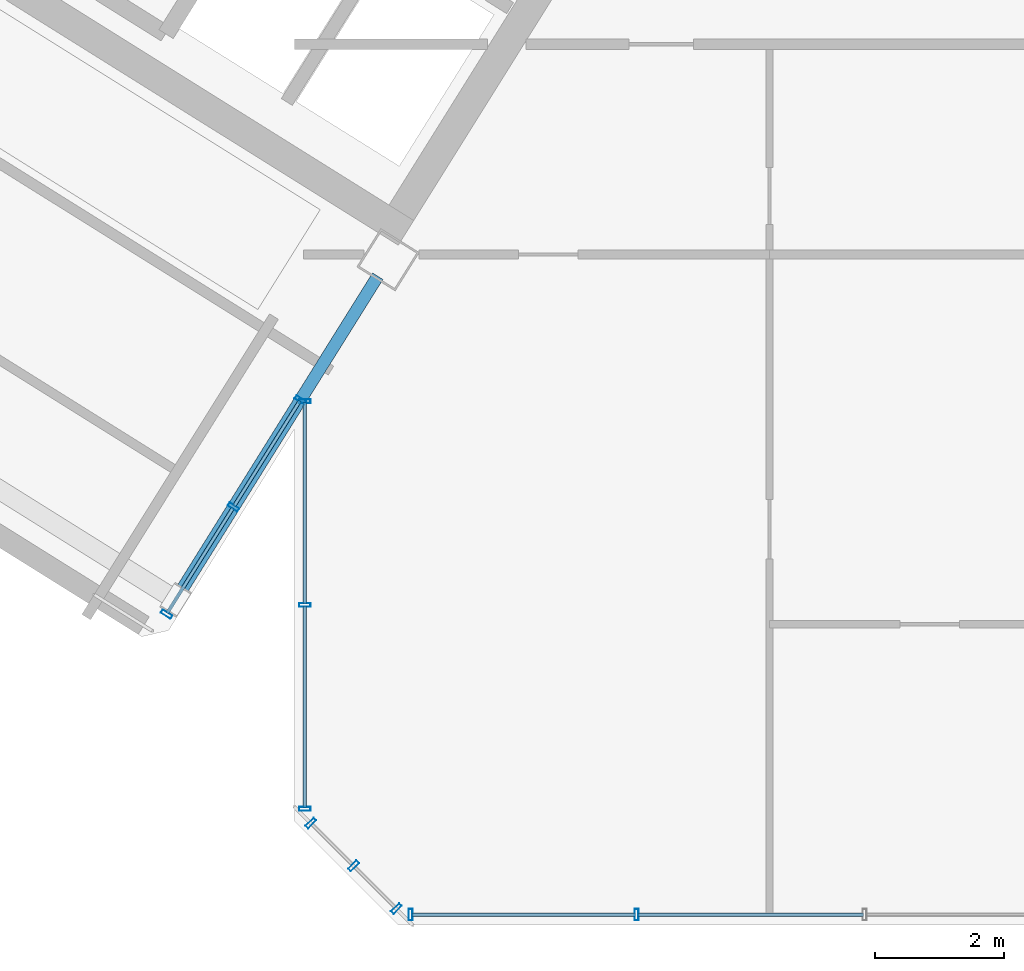
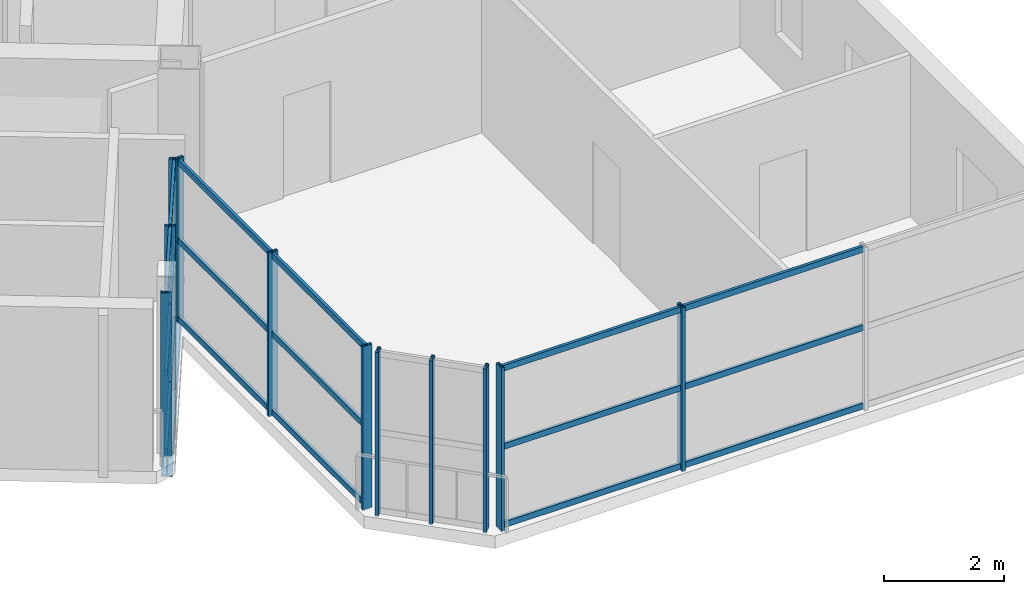
# One storey, part 2 of 13: 29 members, 1 beam, 4 elements without a shape of their own.
"""IFC4 building model written with IfcOpenShell, lengths in metres."""

import ifcopenshell
import ifcopenshell.guid

model = None  # the IFC model being written
_history = None  # IfcOwnerHistory: only IFC2X3 demands one
_inside = {}  # id of a spatial element -> (the spatial element, [elements in it])
_under = {}  # id of a project, library or spatial element -> (it, [spatial elements below it])
_declared = {}  # id of a project -> (the project, [libraries it declares])
_typed = {}  # id of a type object -> (the type object, [elements of that type])
_made_of = {}  # id of a material, layer set ... -> (it, [elements and type objects made of it])


def new_model(schema):
    """Start an empty IFC model of exactly this schema.

    Asked for "IFC4X3", IfcOpenShell would pick the latest addendum, in which some entities
    have other attributes; the version numbers below select the first issue.
    IFC2X3 requires an IfcOwnerHistory on every rooted entity: one is made here for all.
    """
    global model, _history
    if schema == "IFC4X3":
        model = ifcopenshell.file(schema_version=(4, 3, 0, 0))
    else:
        model = ifcopenshell.file(schema=schema)
    _inside.clear()
    _under.clear()
    _declared.clear()
    _typed.clear()
    _made_of.clear()
    _history = None
    if model.schema == "IFC2X3":
        org = make("IfcOrganization", Name="unknown")
        user = make(
            "IfcPersonAndOrganization",
            ThePerson=make("IfcPerson", FamilyName="unknown"),
            TheOrganization=org,
        )
        app = make(
            "IfcApplication",
            ApplicationDeveloper=org,
            Version="unknown",
            ApplicationFullName="unknown",
            ApplicationIdentifier="unknown",
        )
        _history = make(
            "IfcOwnerHistory",
            OwningUser=user,
            OwningApplication=app,
            ChangeAction="ADDED",
            CreationDate=0,
        )
    return model


def make(cls, **values):
    """One entity of the class cls with the attributes given. An attribute that is None is left unset."""
    return model.create_entity(
        cls, **{name: value for name, value in values.items() if value is not None}
    )


def rooted(cls, **values):
    """An entity with a GlobalId (a new one), such as an element, a storey or a relation."""
    return make(cls, GlobalId=ifcopenshell.guid.new(), OwnerHistory=_history, **values)


def si_unit(unit_type, name, prefix=None):
    """IfcSIUnit, for example si_unit("LENGTHUNIT", "METRE", prefix="MILLI")."""
    return make("IfcSIUnit", UnitType=unit_type, Prefix=prefix, Name=name)


def assignment(units):
    """IfcUnitAssignment: the units of a project."""
    return None if units is None else make("IfcUnitAssignment", Units=units)


def point(xyz):
    """IfcCartesianPoint."""
    return None if xyz is None else make("IfcCartesianPoint", Coordinates=xyz)


def direction(xyz):
    """IfcDirection."""
    return None if xyz is None else make("IfcDirection", DirectionRatios=xyz)


def frame(location, z_axis=None, x_axis=None):
    """IfcAxis2Placement3D, a coordinate frame: its origin and axes. An axis left out is left unset."""
    return make(
        "IfcAxis2Placement3D",
        Location=point(location),
        Axis=direction(z_axis),
        RefDirection=direction(x_axis),
    )


def frame_2d(location, x_axis=None):
    """IfcAxis2Placement2D, a coordinate frame in the plane: its origin and x axis."""
    return make(
        "IfcAxis2Placement2D", Location=point(location), RefDirection=direction(x_axis)
    )


def origin():
    """The frame at (0, 0, 0) with its axes left unset."""
    return frame((0.0, 0.0, 0.0))


def origin_2d():
    """The frame at (0, 0) in the plane with its x axis left unset."""
    return frame_2d((0.0, 0.0))


def place(relative_to, where):
    """IfcLocalPlacement: puts the frame where relative to a parent placement (None: the world)."""
    return make(
        "IfcLocalPlacement", PlacementRelTo=relative_to, RelativePlacement=where
    )


def context(
    kind, dimensions, precision=None, world=None, true_north=None, identifier=None
):
    """IfcGeometricRepresentationContext, for example the 3D "Model" context."""
    return make(
        "IfcGeometricRepresentationContext",
        ContextIdentifier=identifier,
        ContextType=kind,
        CoordinateSpaceDimension=dimensions,
        Precision=precision,
        WorldCoordinateSystem=world,
        TrueNorth=true_north,
    )


def subcontext(parent, identifier, kind, view, scale=None):
    """IfcGeometricRepresentationSubContext, for example "Body" below "Model"."""
    return make(
        "IfcGeometricRepresentationSubContext",
        ContextIdentifier=identifier,
        ContextType=kind,
        ParentContext=parent,
        TargetScale=scale,
        TargetView=view,
    )


def project(units=None, contexts=None):
    """IfcProject with its units and contexts."""
    return rooted(
        "IfcProject",
        Name="project",
        RepresentationContexts=contexts,
        UnitsInContext=assignment(units),
    )


def spatial(cls, under=None, at=None, **own):
    """A site, building, storey or space (cls), placed at a placement, below another one or the project."""
    s = rooted(cls, ObjectPlacement=at, **own)
    if under is not None:
        _under.setdefault(under.id(), (under, []))[1].append(s)
    return s


def profile(cls, at=None, kind="AREA", **sizes):
    """A parametric profile (cls). Its sizes go by their IFC names, for example OverallWidth=200.0."""
    return make(cls, ProfileType=kind, Position=at, **sizes)


def hollow_rectangle(**sizes):
    """IfcRectangleHollowProfileDef."""
    return profile("IfcRectangleHollowProfileDef", **sizes)


def i_section(**sizes):
    """IfcIShapeProfileDef."""
    return profile("IfcIShapeProfileDef", **sizes)


def extrude(swept, where, along, depth):
    """IfcExtrudedAreaSolid: the profile swept, set in the frame where, extruded along a direction by depth."""
    return make(
        "IfcExtrudedAreaSolid",
        SweptArea=swept,
        Position=where,
        ExtrudedDirection=direction(along),
        Depth=depth,
    )


def shape(context_of_items, identifier, shape_type, items):
    """IfcShapeRepresentation: the items that make up one representation, for example the "Body"."""
    return make(
        "IfcShapeRepresentation",
        ContextOfItems=context_of_items,
        RepresentationIdentifier=identifier,
        RepresentationType=shape_type,
        Items=items,
    )


def source(mapping_origin, context_of_items, identifier, shape_type, items):
    """IfcRepresentationMap: a shape defined once, which mapped items show again and again."""
    return make(
        "IfcRepresentationMap",
        MappingOrigin=mapping_origin,
        MappedRepresentation=shape(context_of_items, identifier, shape_type, items),
    )


def transform(
    local_origin,
    x_axis=None,
    y_axis=None,
    z_axis=None,
    scale=None,
    scale2=None,
    scale3=None,
    uniform=True,
):
    """IfcCartesianTransformationOperator3D, or its non-uniform kind. x_axis, y_axis, z_axis: its Axis1, 2, 3."""
    if uniform:
        return make(
            "IfcCartesianTransformationOperator3D",
            Axis1=direction(x_axis),
            Axis2=direction(y_axis),
            LocalOrigin=point(local_origin),
            Scale=scale,
            Axis3=direction(z_axis),
        )
    return make(
        "IfcCartesianTransformationOperator3DnonUniform",
        Axis1=direction(x_axis),
        Axis2=direction(y_axis),
        LocalOrigin=point(local_origin),
        Scale=scale,
        Axis3=direction(z_axis),
        Scale2=scale2,
        Scale3=scale3,
    )


def mapped(mapping_source, mapping_target):
    """IfcMappedItem: shows the shape of a source again, moved by a transform."""
    return make(
        "IfcMappedItem", MappingSource=mapping_source, MappingTarget=mapping_target
    )


def material(Name=None, Category=None):
    """IfcMaterial."""
    return make("IfcMaterial", Name=Name, Category=Category)


def material_profile(
    of_material, cross_section, Name=None, Category=None, Priority=None
):
    """IfcMaterialProfile: a cross section and its material."""
    return make(
        "IfcMaterialProfile",
        Name=Name,
        Material=of_material,
        Profile=cross_section,
        Priority=Priority,
        Category=Category,
    )


def profile_set(profiles, Name=None, composite=None):
    """IfcMaterialProfileSet."""
    return make(
        "IfcMaterialProfileSet",
        Name=Name,
        MaterialProfiles=profiles,
        CompositeProfile=composite,
    )


def made_of(thing, what):
    """Note that an element or type object is made of a material, layer set ...; save() writes the relation."""
    if what is not None:
        _made_of.setdefault(what.id(), (what, []))[1].append(thing)
    return thing


def type_object(cls, material=None, **own):
    """A type object (cls), such as IfcWallType, which elements share."""
    return made_of(rooted(cls, **own), material)


def element(
    cls,
    number,
    at=None,
    inside=None,
    cuts=None,
    type_object=None,
    material=None,
    context=None,
    identifier="Body",
    shape_type=None,
    held_by="IfcProductDefinitionShape",
    body=None,
    shapes=None,
    **own,
):
    """One element of the class cls, such as IfcWall. Its Tag is "e" and its number.

    at: its placement. inside: the storey or other place that contains it. cuts: it is an
    opening in that element (IfcRelVoidsElement). A single representation is given by context,
    identifier, shape_type and body (its items); several are given by shapes. held_by: the class
    of the entity that holds the representations. save() writes the other relations.
    """
    e = rooted(cls, Tag="e%d" % number, ObjectPlacement=at, **own)
    if body is not None:
        shapes = [shape(context, identifier, shape_type, body)]
    if shapes is not None:
        e.Representation = make(held_by, Representations=shapes)
    if inside is not None:
        _inside.setdefault(inside.id(), (inside, []))[1].append(e)
    if cuts is not None:
        rooted(
            "IfcRelVoidsElement", RelatingBuildingElement=cuts, RelatedOpeningElement=e
        )
    if type_object is not None:
        _typed.setdefault(type_object.id(), (type_object, []))[1].append(e)
    return made_of(e, material)


def aggregate(whole, parts):
    """IfcRelAggregates: a whole, such as a stair, and the parts it consists of."""
    return rooted("IfcRelAggregates", RelatingObject=whole, RelatedObjects=parts)


def save(model, path):
    """Write the relations noted so far, then the file.

    IfcRelAggregates (storeys below a building ...), IfcRelContainedInSpatialStructure (elements
    in a storey), IfcRelDefinesByType, IfcRelAssociatesMaterial and IfcRelDeclares: one each for
    every whole, place, type object, material and project.
    """
    for whole, parts in _under.values():
        aggregate(whole, parts)
    for where, things in _inside.values():
        rooted(
            "IfcRelContainedInSpatialStructure",
            RelatedElements=things,
            RelatingStructure=where,
        )
    for kind, things in _typed.values():
        rooted("IfcRelDefinesByType", RelatedObjects=things, RelatingType=kind)
    for what, things in _made_of.values():
        rooted("IfcRelAssociatesMaterial", RelatedObjects=things, RelatingMaterial=what)
    for by, libraries in _declared.values():
        rooted("IfcRelDeclares", RelatingContext=by, RelatedDefinitions=libraries)
    model.write(path)


model = new_model("IFC4")

# Units and contexts
model_context = context("Model", 3, precision=1e-05, world=origin(), true_north=direction((0.0, 1.0)))
body_context = subcontext(model_context, "Body", "Model", "MODEL_VIEW")
ifc_project = project(units=[si_unit("LENGTHUNIT", "METRE"), si_unit("AREAUNIT", "SQUARE_METRE"), si_unit("VOLUMEUNIT", "CUBIC_METRE"), si_unit("PLANEANGLEUNIT", "RADIAN"), si_unit("MASSUNIT", "GRAM", prefix="KILO")], contexts=[model_context])

# Site, building, storey
site_placement = place(None, origin())
site = spatial("IfcSite", under=ifc_project, at=site_placement, CompositionType="ELEMENT")
building_placement = place(site_placement, origin())
building = spatial("IfcBuilding", under=site, at=building_placement, Name="Tlacorven Tower", CompositionType="ELEMENT")
storey_placement = place(building_placement, frame((0.0, 0.0, 295.199951171875)))
storey = spatial("IfcBuildingStorey", under=building, at=storey_placement, Name="L75", CompositionType="ELEMENT", Elevation=295.199951171875)

# Beam
ifc_material_1 = material(Name="Steel S355J2", Category="steel")
ifc_material_profile_1 = material_profile(ifc_material_1, i_section(OverallWidth=0.18994140625, OverallDepth=0.449951171875, WebThickness=0.009521484375, FlangeThickness=0.0146484375, at=origin_2d()), Name="IPE 450")
ifc_profile_set_1 = profile_set([ifc_material_profile_1], Name="Steel S355J2")
beam_type = type_object("IfcBeamType", Name="BM-TWR-450", PredefinedType="BEAM", material=ifc_profile_set_1)
shared_shape_1 = source(origin(), body_context, "Body", "SweptSolid", [
    extrude(i_section(OverallWidth=0.18994140625, OverallDepth=0.449951171875, WebThickness=0.009521484375, FlangeThickness=0.0146484375, at=origin_2d()), origin(), (0.0, 0.0, 1.0), 5.800048828125),
])
beam_placement = place(storey_placement, frame((32.88720703125, 11.83251953125, -0.474853515625), z_axis=(-0.529911912967, -0.848052689693, 0.0), x_axis=(0.848052689693, -0.529911912967, 0.0)))
element("IfcBeam", 1, at=beam_placement, inside=storey, type_object=beam_type, Name="L75 beam BM-L75-WT1-2", PredefinedType="BEAM", context=body_context, shape_type="MappedRepresentation", body=[
    mapped(shared_shape_1, transform((0.0, 0.0, 0.0), scale=1.0)),
])

# Curtain wall, members
ifc_material_2 = material(Name="Dark solar low-E double glazing in aluminium frame", Category="aluminium")
curtain_wall_type = type_object("IfcCurtainWallType", Name="CW-TWR-HIGH", PredefinedType="USERDEFINED", material=ifc_material_2)
curtain_wall_1_placement = place(storey_placement, origin())
curtain_wall_1 = element("IfcCurtainWall", 2, at=curtain_wall_1_placement, inside=storey, type_object=curtain_wall_type, Name="L75 CW-TWR-HIGH Curtain Wall 351", ObjectType="UNITISED CURTAIN WALL", PredefinedType="USERDEFINED")
ifc_material_3 = material(Name="Aluminium 6063-T6 anodised", Category="aluminium")
ifc_material_profile_2 = material_profile(ifc_material_3, hollow_rectangle(XDim=0.054931640625, YDim=0.1201171875, WallThickness=0.00341796875, at=origin_2d()), Name="ALU TRANSOM 55X120")
ifc_profile_set_2 = profile_set([ifc_material_profile_2], Name="Aluminium 6063-T6 anodised")
member_type_1 = type_object("IfcMemberType", Name="CWT-03", PredefinedType="USERDEFINED", material=ifc_profile_set_2)
shared_shape_2 = source(origin(), body_context, "Body", "SweptSolid", [
    extrude(hollow_rectangle(XDim=0.054931640625, YDim=0.1201171875, WallThickness=0.00341796875, at=origin_2d()), origin(), (0.0, 0.0, 1.0), 3.115234375),
])
member_1_placement = place(storey_placement, frame((31.760009765625, 3.6142578125, 0.06005859375), z_axis=(0.0, 1.0, 0.0), x_axis=(-1.0, 0.0, 0.0)))
member_1 = element("IfcMember", 3, at=member_1_placement, type_object=member_type_1, Name="CW-L75-351 Transom 1", ObjectType="TRANSOM", PredefinedType="USERDEFINED", context=body_context, shape_type="MappedRepresentation", body=[
    mapped(shared_shape_2, transform((0.0, 0.0, 0.0), scale=1.0)),
])
member_2_placement = place(storey_placement, frame((31.760009765625, 3.6142578125, 1.66015625), z_axis=(0.0, 1.0, 0.0), x_axis=(-1.0, 0.0, 0.0)))
member_2 = element("IfcMember", 4, at=member_2_placement, type_object=member_type_1, Name="CW-L75-351 Transom 2", ObjectType="TRANSOM", PredefinedType="USERDEFINED", context=body_context, shape_type="MappedRepresentation", body=[
    mapped(shared_shape_2, transform((0.0, 0.0, 0.0), scale=1.0)),
])
member_3_placement = place(storey_placement, frame((31.760009765625, 3.6142578125, 3.260009765625), z_axis=(0.0, 1.0, 0.0), x_axis=(-1.0, 0.0, 0.0)))
member_3 = element("IfcMember", 5, at=member_3_placement, type_object=member_type_1, Name="CW-L75-351 Transom 3", ObjectType="TRANSOM", PredefinedType="USERDEFINED", context=body_context, shape_type="MappedRepresentation", body=[
    mapped(shared_shape_2, transform((0.0, 0.0, 0.0), scale=1.0)),
])
member_4_placement = place(storey_placement, frame((31.760009765625, 6.765380859375, 0.06005859375), z_axis=(0.0, 1.0, 0.0), x_axis=(-1.0, 0.0, 0.0)))
member_4 = element("IfcMember", 6, at=member_4_placement, type_object=member_type_1, Name="CW-L75-351 Transom 4", ObjectType="TRANSOM", PredefinedType="USERDEFINED", context=body_context, shape_type="MappedRepresentation", body=[
    mapped(shared_shape_2, transform((0.0, 0.0, 0.0), scale=1.0)),
])
member_5_placement = place(storey_placement, frame((31.760009765625, 6.765380859375, 1.66015625), z_axis=(0.0, 1.0, 0.0), x_axis=(-1.0, 0.0, 0.0)))
member_5 = element("IfcMember", 7, at=member_5_placement, type_object=member_type_1, Name="CW-L75-351 Transom 5", ObjectType="TRANSOM", PredefinedType="USERDEFINED", context=body_context, shape_type="MappedRepresentation", body=[
    mapped(shared_shape_2, transform((0.0, 0.0, 0.0), scale=1.0)),
])
member_6_placement = place(storey_placement, frame((31.760009765625, 6.765380859375, 3.260009765625), z_axis=(0.0, 1.0, 0.0), x_axis=(-1.0, 0.0, 0.0)))
member_6 = element("IfcMember", 8, at=member_6_placement, type_object=member_type_1, Name="CW-L75-351 Transom 6", ObjectType="TRANSOM", PredefinedType="USERDEFINED", context=body_context, shape_type="MappedRepresentation", body=[
    mapped(shared_shape_2, transform((0.0, 0.0, 0.0), scale=1.0)),
])

curtain_wall_2_placement = place(storey_placement, origin())
curtain_wall_2 = element("IfcCurtainWall", 9, at=curtain_wall_2_placement, inside=storey, type_object=curtain_wall_type, Name="L75 CW-TWR-HIGH Curtain Wall 352", ObjectType="UNITISED CURTAIN WALL", PredefinedType="USERDEFINED")
shared_shape_3 = source(origin(), body_context, "Body", "SweptSolid", [
    extrude(hollow_rectangle(XDim=0.054931640625, YDim=0.1201171875, WallThickness=0.00341796875, at=origin_2d()), origin(), (0.0, 0.0, 1.0), 1.91748046875),
])
member_7_placement = place(storey_placement, frame((31.681640625, 9.903076171875, 0.06005859375), z_axis=(-0.529953157166, -0.84802691656, 0.0), x_axis=(0.84802691656, -0.529953157166, 0.0)))
member_7 = element("IfcMember", 10, at=member_7_placement, type_object=member_type_1, Name="CW-L75-352 Transom 1", ObjectType="TRANSOM", PredefinedType="USERDEFINED", context=body_context, shape_type="MappedRepresentation", body=[
    mapped(shared_shape_3, transform((0.0, 0.0, 0.0), scale=1.0)),
])
member_8_placement = place(storey_placement, frame((31.681640625, 9.903076171875, 1.66015625), z_axis=(-0.529953157166, -0.84802691656, 0.0), x_axis=(0.84802691656, -0.529953157166, 0.0)))
member_8 = element("IfcMember", 11, at=member_8_placement, type_object=member_type_1, Name="CW-L75-352 Transom 2", ObjectType="TRANSOM", PredefinedType="USERDEFINED", context=body_context, shape_type="MappedRepresentation", body=[
    mapped(shared_shape_3, transform((0.0, 0.0, 0.0), scale=1.0)),
])
member_9_placement = place(storey_placement, frame((31.681640625, 9.903076171875, 3.260009765625), z_axis=(-0.529953157166, -0.84802691656, 0.0), x_axis=(0.84802691656, -0.529953157166, 0.0)))
member_9 = element("IfcMember", 12, at=member_9_placement, type_object=member_type_1, Name="CW-L75-352 Transom 3", ObjectType="TRANSOM", PredefinedType="USERDEFINED", context=body_context, shape_type="MappedRepresentation", body=[
    mapped(shared_shape_3, transform((0.0, 0.0, 0.0), scale=1.0)),
])
member_10_placement = place(storey_placement, frame((30.646484375, 8.24658203125, 0.06005859375), z_axis=(-0.529953157166, -0.84802691656, 0.0), x_axis=(0.84802691656, -0.529953157166, 0.0)))
member_10 = element("IfcMember", 13, at=member_10_placement, type_object=member_type_1, Name="CW-L75-352 Transom 4", ObjectType="TRANSOM", PredefinedType="USERDEFINED", context=body_context, shape_type="MappedRepresentation", body=[
    mapped(shared_shape_3, transform((0.0, 0.0, 0.0), scale=1.0)),
])
member_11_placement = place(storey_placement, frame((30.646484375, 8.24658203125, 1.66015625), z_axis=(-0.529953157166, -0.84802691656, 0.0), x_axis=(0.84802691656, -0.529953157166, 0.0)))
member_11 = element("IfcMember", 14, at=member_11_placement, type_object=member_type_1, Name="CW-L75-352 Transom 5", ObjectType="TRANSOM", PredefinedType="USERDEFINED", context=body_context, shape_type="MappedRepresentation", body=[
    mapped(shared_shape_3, transform((0.0, 0.0, 0.0), scale=1.0)),
])
member_12_placement = place(storey_placement, frame((30.646484375, 8.24658203125, 3.260009765625), z_axis=(-0.529953157166, -0.84802691656, 0.0), x_axis=(0.84802691656, -0.529953157166, 0.0)))
member_12 = element("IfcMember", 15, at=member_12_placement, type_object=member_type_1, Name="CW-L75-352 Transom 6", ObjectType="TRANSOM", PredefinedType="USERDEFINED", context=body_context, shape_type="MappedRepresentation", body=[
    mapped(shared_shape_3, transform((0.0, 0.0, 0.0), scale=1.0)),
])

curtain_wall_3_placement = place(storey_placement, origin())
curtain_wall_3 = element("IfcCurtainWall", 16, at=curtain_wall_3_placement, inside=storey, type_object=curtain_wall_type, Name="L75 CW-TWR-HIGH Curtain Wall 349", ObjectType="UNITISED CURTAIN WALL", PredefinedType="USERDEFINED")
shared_shape_4 = source(origin(), body_context, "Body", "SweptSolid", [
    extrude(hollow_rectangle(XDim=0.054931640625, YDim=0.1201171875, WallThickness=0.00341796875, at=origin_2d()), origin(), (0.0, 0.0, 1.0), 3.488525390625),
])
member_13_placement = place(storey_placement, frame((40.3974609375, 1.9599609375, 0.06005859375), z_axis=(-1.0, 0.0, 0.0), x_axis=(0.0, -1.0, 0.0)))
member_13 = element("IfcMember", 17, at=member_13_placement, type_object=member_type_1, Name="CW-L75-349 Transom 4", ObjectType="TRANSOM", PredefinedType="USERDEFINED", context=body_context, shape_type="MappedRepresentation", body=[
    mapped(shared_shape_4, transform((0.0, 0.0, 0.0), scale=1.0)),
])
member_14_placement = place(storey_placement, frame((40.3974609375, 1.9599609375, 1.66015625), z_axis=(-1.0, 0.0, 0.0), x_axis=(0.0, -1.0, 0.0)))
member_14 = element("IfcMember", 18, at=member_14_placement, type_object=member_type_1, Name="CW-L75-349 Transom 5", ObjectType="TRANSOM", PredefinedType="USERDEFINED", context=body_context, shape_type="MappedRepresentation", body=[
    mapped(shared_shape_4, transform((0.0, 0.0, 0.0), scale=1.0)),
])
member_15_placement = place(storey_placement, frame((40.3974609375, 1.9599609375, 3.260009765625), z_axis=(-1.0, 0.0, 0.0), x_axis=(0.0, -1.0, 0.0)))
member_15 = element("IfcMember", 19, at=member_15_placement, type_object=member_type_1, Name="CW-L75-349 Transom 6", ObjectType="TRANSOM", PredefinedType="USERDEFINED", context=body_context, shape_type="MappedRepresentation", body=[
    mapped(shared_shape_4, transform((0.0, 0.0, 0.0), scale=1.0)),
])
shared_shape_5 = source(origin(), body_context, "Body", "SweptSolid", [
    extrude(hollow_rectangle(XDim=0.054931640625, YDim=0.1201171875, WallThickness=0.00341796875, at=origin_2d()), origin(), (0.0, 0.0, 1.0), 3.45849609375),
])
member_16_placement = place(storey_placement, frame((36.872802734375, 1.9599609375, 0.06005859375), z_axis=(-1.0, 0.0, 0.0), x_axis=(0.0, -1.0, 0.0)))
member_16 = element("IfcMember", 20, at=member_16_placement, type_object=member_type_1, Name="CW-L75-349 Transom 7", ObjectType="TRANSOM", PredefinedType="USERDEFINED", context=body_context, shape_type="MappedRepresentation", body=[
    mapped(shared_shape_5, transform((0.0, 0.0, 0.0), scale=1.0)),
])
member_17_placement = place(storey_placement, frame((36.872802734375, 1.9599609375, 1.66015625), z_axis=(-1.0, 0.0, 0.0), x_axis=(0.0, -1.0, 0.0)))
member_17 = element("IfcMember", 21, at=member_17_placement, type_object=member_type_1, Name="CW-L75-349 Transom 8", ObjectType="TRANSOM", PredefinedType="USERDEFINED", context=body_context, shape_type="MappedRepresentation", body=[
    mapped(shared_shape_5, transform((0.0, 0.0, 0.0), scale=1.0)),
])
member_18_placement = place(storey_placement, frame((36.872802734375, 1.9599609375, 3.260009765625), z_axis=(-1.0, 0.0, 0.0), x_axis=(0.0, -1.0, 0.0)))
member_18 = element("IfcMember", 22, at=member_18_placement, type_object=member_type_1, Name="CW-L75-349 Transom 9", ObjectType="TRANSOM", PredefinedType="USERDEFINED", context=body_context, shape_type="MappedRepresentation", body=[
    mapped(shared_shape_5, transform((0.0, 0.0, 0.0), scale=1.0)),
])
ifc_material_profile_3 = material_profile(ifc_material_3, hollow_rectangle(XDim=0.06005859375, YDim=0.179931640625, WallThickness=0.00390625, at=origin_2d()), Name="ALU MULLION 60X180")
ifc_profile_set_3 = profile_set([ifc_material_profile_3], Name="Aluminium 6063-T6 anodised")
member_type_2 = type_object("IfcMemberType", Name="CWM-03", PredefinedType="MULLION", material=ifc_profile_set_3)
shared_shape_6 = source(origin(), body_context, "Body", "SweptSolid", [
    extrude(hollow_rectangle(XDim=0.06005859375, YDim=0.179931640625, WallThickness=0.00390625, at=origin_2d()), origin(), (0.0, 0.0, 1.0), 3.35009765625),
])
member_19_placement = place(storey_placement, frame((36.890869140625, 1.9599609375, -0.02001953125), z_axis=(0.0, 0.0, 1.0), x_axis=(-1.0, 0.0, 0.0)))
member_19 = element("IfcMember", 23, at=member_19_placement, type_object=member_type_2, Name="CW-L75-349 Mullion 3", PredefinedType="MULLION", context=body_context, shape_type="MappedRepresentation", body=[
    mapped(shared_shape_6, transform((0.0, 0.0, 0.0), scale=1.0)),
])
member_20_placement = place(storey_placement, frame((33.396240234375, 1.9599609375, -0.02001953125), z_axis=(0.0, 0.0, 1.0), x_axis=(-1.0, 0.0, 0.0)))
member_20 = element("IfcMember", 24, at=member_20_placement, type_object=member_type_2, Name="CW-L75-349 Mullion 4", PredefinedType="MULLION", context=body_context, shape_type="MappedRepresentation", body=[
    mapped(shared_shape_6, transform((0.0, 0.0, 0.0), scale=1.0)),
])
aggregate(curtain_wall_3, [member_19, member_20, member_13, member_14, member_15, member_16, member_17, member_18])

curtain_wall_4_placement = place(storey_placement, origin())
curtain_wall_4 = element("IfcCurtainWall", 25, at=curtain_wall_4_placement, inside=storey, type_object=curtain_wall_type, Name="L75 CW-TWR-HIGH Curtain Wall 350", ObjectType="UNITISED CURTAIN WALL", PredefinedType="USERDEFINED")
member_21_placement = place(storey_placement, frame((33.17431640625, 2.052001953125, -0.02001953125), z_axis=(0.0, 0.0, 1.0), x_axis=(-0.707106781187, 0.707106781187, 0.0)))
member_21 = element("IfcMember", 26, at=member_21_placement, type_object=member_type_2, Name="CW-L75-350 Mullion 1", PredefinedType="MULLION", context=body_context, shape_type="MappedRepresentation", body=[
    mapped(shared_shape_6, transform((0.0, 0.0, 0.0), scale=1.0)),
])
member_22_placement = place(storey_placement, frame((32.51318359375, 2.713134765625, -0.02001953125), z_axis=(0.0, 0.0, 1.0), x_axis=(-0.707106781187, 0.707106781187, 0.0)))
member_22 = element("IfcMember", 27, at=member_22_placement, type_object=member_type_2, Name="CW-L75-350 Mullion 2", PredefinedType="MULLION", context=body_context, shape_type="MappedRepresentation", body=[
    mapped(shared_shape_6, transform((0.0, 0.0, 0.0), scale=1.0)),
])
member_23_placement = place(storey_placement, frame((31.851806640625, 3.374267578125, -0.02001953125), z_axis=(0.0, 0.0, 1.0), x_axis=(-0.707106781187, 0.707106781187, 0.0)))
member_23 = element("IfcMember", 28, at=member_23_placement, type_object=member_type_2, Name="CW-L75-350 Mullion 3", PredefinedType="MULLION", context=body_context, shape_type="MappedRepresentation", body=[
    mapped(shared_shape_6, transform((0.0, 0.0, 0.0), scale=1.0)),
])
aggregate(curtain_wall_4, [member_21, member_22, member_23])

# Member
member_24_placement = place(storey_placement, frame((31.760009765625, 3.59619140625, -0.02001953125), z_axis=(0.0, 0.0, 1.0), x_axis=(0.0, 1.0, 0.0)))
member_24 = element("IfcMember", 29, at=member_24_placement, type_object=member_type_2, Name="CW-L75-351 Mullion 1", PredefinedType="MULLION", context=body_context, shape_type="MappedRepresentation", body=[
    mapped(shared_shape_6, transform((0.0, 0.0, 0.0), scale=1.0)),
])

member_25_placement = place(storey_placement, frame((31.760009765625, 6.74755859375, -0.02001953125), z_axis=(0.0, 0.0, 1.0), x_axis=(0.0, 1.0, 0.0)))
member_25 = element("IfcMember", 30, at=member_25_placement, type_object=member_type_2, Name="CW-L75-351 Mullion 2", PredefinedType="MULLION", context=body_context, shape_type="MappedRepresentation", body=[
    mapped(shared_shape_6, transform((0.0, 0.0, 0.0), scale=1.0)),
])

member_26_placement = place(storey_placement, frame((31.760009765625, 9.898681640625, -0.02001953125), z_axis=(0.0, 0.0, 1.0), x_axis=(0.0, 1.0, 0.0)))
member_26 = element("IfcMember", 31, at=member_26_placement, type_object=member_type_2, Name="CW-L75-351 Mullion 3", PredefinedType="MULLION", context=body_context, shape_type="MappedRepresentation", body=[
    mapped(shared_shape_6, transform((0.0, 0.0, 0.0), scale=1.0)),
])

aggregate(curtain_wall_1, [member_24, member_25, member_26, member_1, member_2, member_3, member_4, member_5, member_6])

member_27_placement = place(storey_placement, frame((31.691162109375, 9.91845703125, -0.02001953125), z_axis=(0.0, 0.0, 1.0), x_axis=(-0.529918710919, -0.848048441905, 0.0)))
member_27 = element("IfcMember", 32, at=member_27_placement, type_object=member_type_2, Name="CW-L75-352 Mullion 1", PredefinedType="MULLION", context=body_context, shape_type="MappedRepresentation", body=[
    mapped(shared_shape_6, transform((0.0, 0.0, 0.0), scale=1.0)),
])

member_28_placement = place(storey_placement, frame((30.656005859375, 8.261962890625, -0.02001953125), z_axis=(0.0, 0.0, 1.0), x_axis=(-0.529918710919, -0.848048441905, 0.0)))
member_28 = element("IfcMember", 33, at=member_28_placement, type_object=member_type_2, Name="CW-L75-352 Mullion 2", PredefinedType="MULLION", context=body_context, shape_type="MappedRepresentation", body=[
    mapped(shared_shape_6, transform((0.0, 0.0, 0.0), scale=1.0)),
])

member_29_placement = place(storey_placement, frame((29.620849609375, 6.605224609375, -0.02001953125), z_axis=(0.0, 0.0, 1.0), x_axis=(-0.529918710919, -0.848048441905, 0.0)))
member_29 = element("IfcMember", 34, at=member_29_placement, type_object=member_type_2, Name="CW-L75-352 Mullion 3", PredefinedType="MULLION", context=body_context, shape_type="MappedRepresentation", body=[
    mapped(shared_shape_6, transform((0.0, 0.0, 0.0), scale=1.0)),
])

aggregate(curtain_wall_2, [member_27, member_28, member_29, member_7, member_8, member_9, member_10, member_11, member_12])

save(model, "model.ifc")
